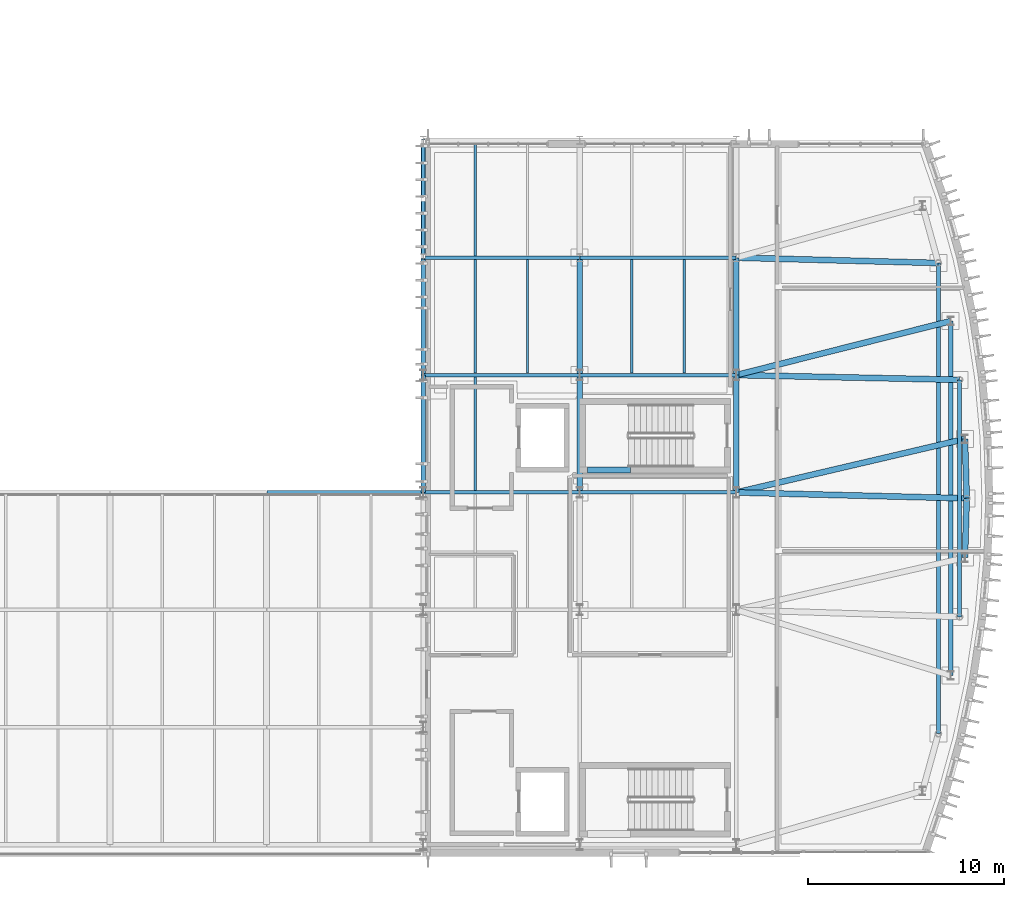
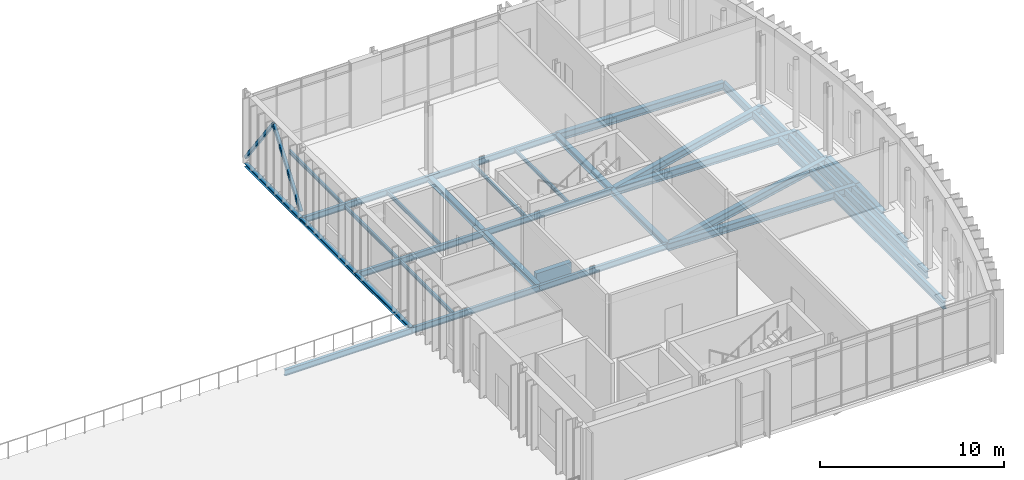
# One storey, part 26 of 62: 31 beams, 2 members.
"""IFC4 building model written with IfcOpenShell, lengths in metres."""

from ifc_helpers import new_model, si_unit, direction, frame, origin, origin_2d, place, context, subcontext, project, spatial, rectangle, hollow_rectangle, i_section, extrude, material, material_profile, profile_set, type_object, element, save


model = new_model("IFC4")

# Units and contexts
model_context = context("Model", 3, precision=1e-05, world=origin(), true_north=direction((0.0, 1.0)))
body_context = subcontext(model_context, "Body", "Model", "MODEL_VIEW")
ifc_project = project(units=[si_unit("LENGTHUNIT", "METRE"), si_unit("AREAUNIT", "SQUARE_METRE"), si_unit("VOLUMEUNIT", "CUBIC_METRE"), si_unit("PLANEANGLEUNIT", "RADIAN"), si_unit("MASSUNIT", "GRAM", prefix="KILO")], contexts=[model_context])

# Site, building, storey
site_placement = place(None, origin())
site = spatial("IfcSite", under=ifc_project, at=site_placement, CompositionType="ELEMENT")
building_placement = place(site_placement, origin())
building = spatial("IfcBuilding", under=site, at=building_placement, Name="Cymarion Research Institute", CompositionType="ELEMENT")
storey_placement = place(building_placement, frame((0.0, 0.0, 18.300048828125)))
storey = spatial("IfcBuildingStorey", under=building, at=storey_placement, Name="L04", CompositionType="ELEMENT", Elevation=18.300048828125)

# Beams
ifc_material_1 = material(Name="Concrete C40/50", Category="concrete")
ifc_material_profile_1 = material_profile(ifc_material_1, rectangle(XDim=0.300048828125, YDim=0.75, at=origin_2d()), Name="RC 300x750")
ifc_profile_set_1 = profile_set([ifc_material_profile_1], Name="Concrete C40/50")
beam_type_1 = type_object("IfcBeamType", Name="COUPLING LINTEL LN01 RC 300x750", PredefinedType="LINTEL", material=ifc_profile_set_1)
beam_1_placement = place(storey_placement, frame((147.0, 24.64990234375, -0.64501953125), z_axis=(1.0, 0.0, 0.0), x_axis=(0.0, 1.0, 0.0)))
element("IfcBeam", 1, at=beam_1_placement, inside=storey, type_object=beam_type_1, Name="L04 C2 core coupling lintel LN01", PredefinedType="LINTEL", context=body_context, shape_type="SweptSolid", body=[
    extrude(rectangle(XDim=0.300048828125, YDim=0.75, at=origin_2d()), origin(), (0.0, 0.0, 1.0), 2.199951171875),
])
ifc_material_2 = material(Name="Steel S355", Category="steel")
ifc_material_profile_2 = material_profile(ifc_material_2, i_section(OverallWidth=0.2099609375, OverallDepth=0.550048828125, WebThickness=0.010986328125, FlangeThickness=0.01708984375, FilletRadius=0.02392578125, at=origin_2d()), Name="IPE 550")
ifc_profile_set_2 = profile_set([ifc_material_profile_2], Name="Steel S355")
beam_type_2 = type_object("IfcBeamType", Name="PRIMARY GIRDER BM02 IPE 550", PredefinedType="BEAM", material=ifc_profile_set_2)
beam_2_placement = place(storey_placement, frame((164.929931640625, 11.1787109375, -0.525146484375), z_axis=(0.0, 1.0, 0.0), x_axis=(-1.0, 0.0, 0.0)))
element("IfcBeam", 2, at=beam_2_placement, inside=storey, type_object=beam_type_2, Name="L04 V1 girder BM02 #1648", PredefinedType="BEAM", context=body_context, shape_type="SweptSolid", body=[
    extrude(i_section(OverallWidth=0.2099609375, OverallDepth=0.550048828125, WebThickness=0.010986328125, FlangeThickness=0.01708984375, FilletRadius=0.02392578125, at=origin_2d()), origin(), (0.0, 0.0, 1.0), 24.04248046875),
])
beam_3_placement = place(storey_placement, frame((165.56005859375, 14.1474609375, -0.525146484375), z_axis=(0.0, 1.0, 0.0), x_axis=(-1.0, 0.0, 0.0)))
element("IfcBeam", 3, at=beam_3_placement, inside=storey, type_object=beam_type_2, Name="L04 V1 girder BM02 #1649", PredefinedType="BEAM", context=body_context, shape_type="SweptSolid", body=[
    extrude(i_section(OverallWidth=0.2099609375, OverallDepth=0.550048828125, WebThickness=0.010986328125, FlangeThickness=0.01708984375, FilletRadius=0.02392578125, at=origin_2d()), origin(), (0.0, 0.0, 1.0), 18.10498046875),
])
beam_4_placement = place(storey_placement, frame((166.010009765625, 17.148681640625, -0.525146484375), z_axis=(0.0, 1.0, 0.0), x_axis=(-1.0, 0.0, 0.0)))
element("IfcBeam", 4, at=beam_4_placement, inside=storey, type_object=beam_type_2, Name="L04 V1 girder BM02 #1650", PredefinedType="BEAM", context=body_context, shape_type="SweptSolid", body=[
    extrude(i_section(OverallWidth=0.2099609375, OverallDepth=0.550048828125, WebThickness=0.010986328125, FlangeThickness=0.01708984375, FilletRadius=0.02392578125, at=origin_2d()), origin(), (0.0, 0.0, 1.0), 12.1025390625),
])
ifc_material_profile_3 = material_profile(ifc_material_2, i_section(OverallWidth=0.179931640625, OverallDepth=0.39990234375, WebThickness=0.008544921875, FlangeThickness=0.013427734375, FilletRadius=0.02099609375, at=origin_2d()), Name="IPE 400")
ifc_profile_set_3 = profile_set([ifc_material_profile_3], Name="Steel S355")
beam_type_3 = type_object("IfcBeamType", Name="PRIMARY GIRDER BM05 IPE 400", PredefinedType="BEAM", material=ifc_profile_set_3)
for number, where, z_axis, x_axis, name in (
    (5, (130.60595703125, 23.5, -0.4599609375), (1.0, 0.0, 0.0), (0.0, 1.0, 0.0), "L04 V1 girder BM05 #1611"),
    (6, (138.60595703125, 23.5, -0.449951171875), (1.0, 0.0, 0.0), (0.0, 1.0, 0.0), "L04 V1 girder BM05 #1612"),
    (7, (146.60595703125, 23.5, -0.449951171875), (1.0, 0.0, 0.0), (0.0, 1.0, 0.0), "L04 V1 girder BM05 #1613"),
    (8, (138.60595703125, 29.5, -0.449951171875), (1.0, 0.0, 0.0), (0.0, 1.0, 0.0), "L04 V1 girder BM05 #1614"),
    (9, (146.60595703125, 29.5, -0.449951171875), (1.0, 0.0, 0.0), (0.0, 1.0, 0.0), "L04 V1 girder BM05 #1615"),
    (10, (138.60595703125, 35.5, -0.449951171875), (1.0, 0.0, 0.0), (0.0, 1.0, 0.0), "L04 V1 girder BM05 #1616"),
    (11, (146.60595703125, 35.5, -0.449951171875), (1.0, 0.0, 0.0), (0.0, 1.0, 0.0), "L04 V1 girder BM05 #1617"),
):
    element("IfcBeam", number, at=place(storey_placement, frame(where, z_axis=z_axis, x_axis=x_axis)), inside=storey, type_object=beam_type_3, Name=name, PredefinedType="BEAM", context=body_context, shape_type="SweptSolid", body=[
        extrude(i_section(OverallWidth=0.179931640625, OverallDepth=0.39990234375, WebThickness=0.008544921875, FlangeThickness=0.013427734375, FilletRadius=0.02099609375, at=origin_2d()), origin(), (0.0, 0.0, 1.0), 7.988037109375),
    ])
ifc_material_profile_4 = material_profile(ifc_material_2, i_section(OverallWidth=0.300048828125, OverallDepth=0.5, WebThickness=0.014404296875, FlangeThickness=0.028076171875, FilletRadius=0.027099609375, at=origin_2d()), Name="HEB 500")
ifc_profile_set_4 = profile_set([ifc_material_profile_4], Name="Steel S355")
beam_type_4 = type_object("IfcBeamType", Name="PRIMARY GIRDER BM09 HEB 500", PredefinedType="BEAM", material=ifc_profile_set_4)
beam_5_placement = place(storey_placement, frame((154.60791015625, 23.499755859375, -0.5), z_axis=(0.999675752574, -0.025463497715, 0.0), x_axis=(0.025463497715, 0.999675752574, 0.0)))
element("IfcBeam", 12, at=beam_5_placement, inside=storey, type_object=beam_type_4, Name="L04 V1 radial prow girder BM09 #1659", PredefinedType="BEAM", context=body_context, shape_type="SweptSolid", body=[
    extrude(i_section(OverallWidth=0.300048828125, OverallDepth=0.5, WebThickness=0.014404296875, FlangeThickness=0.028076171875, FilletRadius=0.027099609375, at=origin_2d()), origin(), (0.0, 0.0, 1.0), 11.764404296875),
])
beam_6_placement = place(storey_placement, frame((154.60791015625, 23.501708984375, -0.5), z_axis=(0.973701737176, 0.22782652835, 0.0), x_axis=(-0.22782652835, 0.973701737176, 0.0)))
element("IfcBeam", 13, at=beam_6_placement, inside=storey, type_object=beam_type_4, Name="L04 V1 radial prow girder BM09 #1660", PredefinedType="BEAM", context=body_context, shape_type="SweptSolid", body=[
    extrude(i_section(OverallWidth=0.300048828125, OverallDepth=0.5, WebThickness=0.014404296875, FlangeThickness=0.028076171875, FilletRadius=0.027099609375, at=origin_2d()), origin(), (0.0, 0.0, 1.0), 11.98486328125),
])
beam_7_placement = place(storey_placement, frame((154.60791015625, 29.499755859375, -0.5), z_axis=(0.999773836643, -0.021266771342, 0.0), x_axis=(0.021266771342, 0.999773836643, 0.0)))
element("IfcBeam", 14, at=beam_7_placement, inside=storey, type_object=beam_type_4, Name="L04 V1 radial prow girder BM09 #1661", PredefinedType="BEAM", context=body_context, shape_type="SweptSolid", body=[
    extrude(i_section(OverallWidth=0.300048828125, OverallDepth=0.5, WebThickness=0.014404296875, FlangeThickness=0.028076171875, FilletRadius=0.027099609375, at=origin_2d()), origin(), (0.0, 0.0, 1.0), 11.399658203125),
])
beam_8_placement = place(storey_placement, frame((154.60791015625, 29.501953125, -0.5), z_axis=(0.969753132193, 0.244087817399, 0.0), x_axis=(-0.244087817399, 0.969753132193, 0.0)))
element("IfcBeam", 15, at=beam_8_placement, inside=storey, type_object=beam_type_4, Name="L04 V1 radial prow girder BM09 #1662", PredefinedType="BEAM", context=body_context, shape_type="SweptSolid", body=[
    extrude(i_section(OverallWidth=0.300048828125, OverallDepth=0.5, WebThickness=0.014404296875, FlangeThickness=0.028076171875, FilletRadius=0.027099609375, at=origin_2d()), origin(), (0.0, 0.0, 1.0), 11.285400390625),
])
beam_9_placement = place(storey_placement, frame((154.60791015625, 35.499755859375, -0.5), z_axis=(0.999651753998, -0.026388837201, 0.0), x_axis=(0.026388837201, 0.999651753998, 0.0)))
element("IfcBeam", 16, at=beam_9_placement, inside=storey, type_object=beam_type_4, Name="L04 V1 radial prow girder BM09 #1663", PredefinedType="BEAM", context=body_context, shape_type="SweptSolid", body=[
    extrude(i_section(OverallWidth=0.300048828125, OverallDepth=0.5, WebThickness=0.014404296875, FlangeThickness=0.028076171875, FilletRadius=0.027099609375, at=origin_2d()), origin(), (0.0, 0.0, 1.0), 10.315673828125),
])
ifc_material_profile_5 = material_profile(ifc_material_2, i_section(OverallWidth=0.300048828125, OverallDepth=0.39990234375, WebThickness=0.013427734375, FlangeThickness=0.02392578125, FilletRadius=0.027099609375, at=origin_2d()), Name="HEB 400")
ifc_profile_set_5 = profile_set([ifc_material_profile_5], Name="Steel S355")
beam_type_5 = type_object("IfcBeamType", Name="PRIMARY GIRDER BM11 HEB 400", PredefinedType="BEAM", material=ifc_profile_set_5)
beam_10_placement = place(storey_placement, frame((166.28564453125, 20.174072265625, -0.449951171875), z_axis=(0.030000243484, 0.999549891397, 0.0), x_axis=(-0.999549891397, 0.030000243484, 0.0)))
element("IfcBeam", 17, at=beam_10_placement, inside=storey, type_object=beam_type_5, Name="L04 V1 prow ring girder BM11 #1652", PredefinedType="BEAM", context=body_context, shape_type="SweptSolid", body=[
    extrude(i_section(OverallWidth=0.300048828125, OverallDepth=0.39990234375, WebThickness=0.013427734375, FlangeThickness=0.02392578125, FilletRadius=0.027099609375, at=origin_2d()), origin(), (0.0, 0.0, 1.0), 3.019287109375),
])
beam_11_placement = place(storey_placement, frame((166.376220703125, 23.2080078125, -0.449951171875), z_axis=(-0.029997818857, 0.999549964166, 0.0), x_axis=(-0.999549964166, -0.029997818857, 0.0)))
element("IfcBeam", 18, at=beam_11_placement, inside=storey, type_object=beam_type_5, Name="L04 V1 prow ring girder BM11 #1653", PredefinedType="BEAM", context=body_context, shape_type="SweptSolid", body=[
    extrude(i_section(OverallWidth=0.300048828125, OverallDepth=0.39990234375, WebThickness=0.013427734375, FlangeThickness=0.02392578125, FilletRadius=0.027099609375, at=origin_2d()), origin(), (0.0, 0.0, 1.0), 3.01953125),
])
ifc_material_profile_6 = material_profile(ifc_material_2, i_section(OverallWidth=0.300048828125, OverallDepth=0.35009765625, WebThickness=0.010009765625, FlangeThickness=0.017578125, FilletRadius=0.027099609375, at=origin_2d()), Name="HEA 360")
ifc_profile_set_6 = profile_set([ifc_material_profile_6], Name="Steel S355")
beam_type_6 = type_object("IfcBeamType", Name="PRIMARY GIRDER BM12 HEA 360", PredefinedType="BEAM", material=ifc_profile_set_6)
for number, where, z_axis, x_axis, name in (
    (19, (146.60009765625, 23.506103515625, -0.425048828125), (0.0, 1.0, 0.0), (-1.0, 0.0, 0.0), "L04 V1 girder BM12 #1640"),
    (20, (146.60009765625, 29.506103515625, -0.425048828125), (0.0, 1.0, 0.0), (-1.0, 0.0, 0.0), "L04 V1 girder BM12 #1641"),
    (21, (154.60009765625, 23.506103515625, -0.425048828125), (0.0, 1.0, 0.0), (-1.0, 0.0, 0.0), "L04 V1 girder BM12 #1645"),
    (22, (154.60009765625, 29.506103515625, -0.425048828125), (0.0, 1.0, 0.0), (-1.0, 0.0, 0.0), "L04 V1 girder BM12 #1646"),
):
    element("IfcBeam", number, at=place(storey_placement, frame(where, z_axis=z_axis, x_axis=x_axis)), inside=storey, type_object=beam_type_6, Name=name, PredefinedType="BEAM", context=body_context, shape_type="SweptSolid", body=[
        extrude(i_section(OverallWidth=0.300048828125, OverallDepth=0.35009765625, WebThickness=0.010009765625, FlangeThickness=0.017578125, FilletRadius=0.027099609375, at=origin_2d()), origin(), (0.0, 0.0, 1.0), 5.98779296875),
    ])
ifc_material_profile_7 = material_profile(ifc_material_2, i_section(OverallWidth=0.1201171875, OverallDepth=0.239990234375, WebThickness=0.006103515625, FlangeThickness=0.009765625, FilletRadius=0.014892578125, at=origin_2d()), Name="IPE 240")
ifc_profile_set_7 = profile_set([ifc_material_profile_7], Name="Steel S355")
beam_type_7 = type_object("IfcBeamType", Name="SECONDARY JOIST JS04 IPE 240", PredefinedType="JOIST", material=ifc_profile_set_7)
for number, where, z_axis, x_axis, name in (
    (23, (141.2666015625, 23.593994140625, -0.3701171875), (0.0, 1.0, 0.0), (-1.0, 0.0, 0.0), "L04 V1 secondary joist JS04 #1693"),
    (24, (141.2666015625, 29.593994140625, -0.3701171875), (0.0, 1.0, 0.0), (-1.0, 0.0, 0.0), "L04 V1 secondary joist JS04 #1694"),
    (25, (143.933349609375, 29.593994140625, -0.3701171875), (0.0, 1.0, 0.0), (-1.0, 0.0, 0.0), "L04 V1 secondary joist JS04 #1695"),
    (26, (149.2666015625, 29.593994140625, -0.3701171875), (0.0, 1.0, 0.0), (-1.0, 0.0, 0.0), "L04 V1 secondary joist JS04 #1696"),
    (27, (151.933349609375, 29.593994140625, -0.3701171875), (0.0, 1.0, 0.0), (-1.0, 0.0, 0.0), "L04 V1 secondary joist JS04 #1697"),
):
    element("IfcBeam", number, at=place(storey_placement, frame(where, z_axis=z_axis, x_axis=x_axis)), inside=storey, type_object=beam_type_7, Name=name, PredefinedType="JOIST", context=body_context, shape_type="SweptSolid", body=[
        extrude(i_section(OverallWidth=0.1201171875, OverallDepth=0.239990234375, WebThickness=0.006103515625, FlangeThickness=0.009765625, FilletRadius=0.014892578125, at=origin_2d()), origin(), (0.0, 0.0, 1.0), 5.81201171875),
    ])
beam_12_placement = place(storey_placement, frame((141.2666015625, 35.593994140625, -0.3701171875), z_axis=(0.0, 1.0, 0.0), x_axis=(-1.0, 0.0, 0.0)))
element("IfcBeam", 28, at=beam_12_placement, inside=storey, type_object=beam_type_7, Name="L04 V1 secondary joist JS04 #1698", PredefinedType="JOIST", context=body_context, shape_type="SweptSolid", body=[
    extrude(i_section(OverallWidth=0.1201171875, OverallDepth=0.239990234375, WebThickness=0.006103515625, FlangeThickness=0.009765625, FilletRadius=0.014892578125, at=origin_2d()), origin(), (0.0, 0.0, 1.0), 5.781982421875),
])
ifc_material_profile_8 = material_profile(ifc_material_2, i_section(OverallWidth=0.239990234375, OverallDepth=0.22998046875, WebThickness=0.007568359375, FlangeThickness=0.011962890625, FilletRadius=0.02099609375, at=origin_2d()), Name="HEA 240")
ifc_profile_set_8 = profile_set([ifc_material_profile_8], Name="Steel S355")
beam_type_8 = type_object("IfcBeamType", Name="SPANDREL BEAM SPB03 HEA 240", PredefinedType="SPANDREL", material=ifc_profile_set_8)
for number, where, z_axis, x_axis, name in (
    (29, (138.60009765625, 23.506103515625, -0.364990234375), (0.0, 1.0, 0.0), (-1.0, 0.0, 0.0), "L04 V1 girder SPB03 #1635"),
    (30, (138.60009765625, 29.506103515625, -0.364990234375), (0.0, 1.0, 0.0), (-1.0, 0.0, 0.0), "L04 V1 girder SPB03 #1636"),
    (31, (138.60009765625, 35.506103515625, -0.364990234375), (0.0, 1.0, 0.0), (-1.0, 0.0, 0.0), "L04 V1 girder SPB03 #1637"),
):
    element("IfcBeam", number, at=place(storey_placement, frame(where, z_axis=z_axis, x_axis=x_axis)), inside=storey, type_object=beam_type_8, Name=name, PredefinedType="SPANDREL", context=body_context, shape_type="SweptSolid", body=[
        extrude(i_section(OverallWidth=0.239990234375, OverallDepth=0.22998046875, WebThickness=0.007568359375, FlangeThickness=0.011962890625, FilletRadius=0.02099609375, at=origin_2d()), origin(), (0.0, 0.0, 1.0), 5.98779296875),
    ])

# Members
ifc_material_profile_9 = material_profile(ifc_material_2, hollow_rectangle(XDim=0.199951171875, YDim=0.199951171875, WallThickness=0.010009765625, InnerFilletRadius=0.014892578125, OuterFilletRadius=0.02490234375, at=origin_2d()), Name="SHS 200x200x10")
ifc_profile_set_9 = profile_set([ifc_material_profile_9], Name="Steel S355")
member_type = type_object("IfcMemberType", Name="STRUCTURAL MEMBER BR07 SHS 200x200x10", PredefinedType="BRACE", material=ifc_profile_set_9)
for number, where, z_axis, x_axis, name in (
    (32, (138.60009765625, 35.511962890625, 0.119873046875), (0.0, 0.59576167573, 0.803161270064), (-1.0, 0.0, 0.0), "L04 V1 seismic chevron brace BR07 #1"),
    (33, (138.60009765625, 41.488037109375, 0.119873046875), (0.0, -0.59576167573, 0.803161270064), (1.0, 0.0, 0.0), "L04 V1 seismic chevron brace BR07 #2"),
):
    element("IfcMember", number, at=place(storey_placement, frame(where, z_axis=z_axis, x_axis=x_axis)), inside=storey, type_object=member_type, Name=name, PredefinedType="BRACE", context=body_context, shape_type="SweptSolid", body=[
        extrude(hollow_rectangle(XDim=0.199951171875, YDim=0.199951171875, WallThickness=0.010009765625, InnerFilletRadius=0.014892578125, OuterFilletRadius=0.02490234375, at=origin_2d()), origin(), (0.0, 0.0, 1.0), 5.005126953125),
    ])

save(model, "model.ifc")
